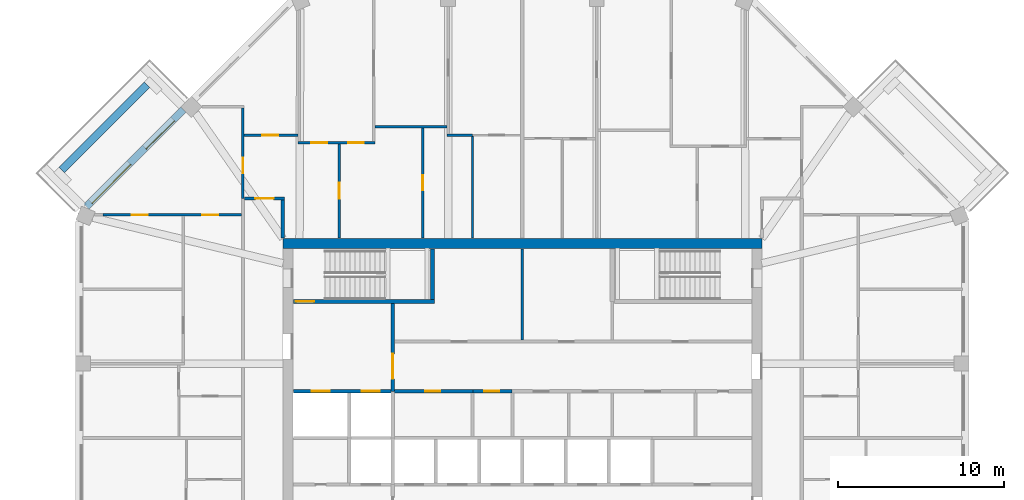
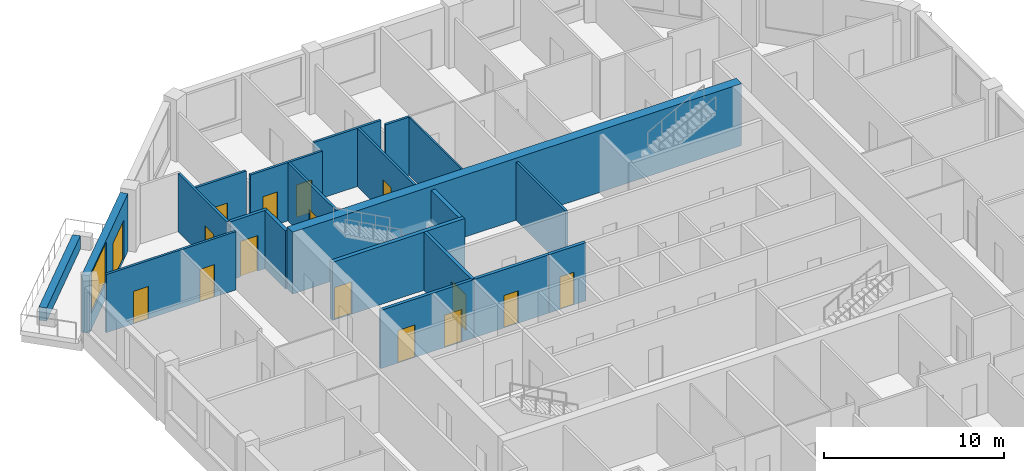
# One storey, part 7 of 11: 21 walls, 16 doors, 1 window, 17 openings.
"""IFC4 building model written with IfcOpenShell, lengths in metres."""

import ifcopenshell
import ifcopenshell.guid

model = None  # the IFC model being written
_history = None  # IfcOwnerHistory: only IFC2X3 demands one
_inside = {}  # id of a spatial element -> (the spatial element, [elements in it])
_under = {}  # id of a project, library or spatial element -> (it, [spatial elements below it])
_declared = {}  # id of a project -> (the project, [libraries it declares])
_typed = {}  # id of a type object -> (the type object, [elements of that type])
_made_of = {}  # id of a material, layer set ... -> (it, [elements and type objects made of it])


def new_model(schema):
    """Start an empty IFC model of exactly this schema.

    Asked for "IFC4X3", IfcOpenShell would pick the latest addendum, in which some entities
    have other attributes; the version numbers below select the first issue.
    IFC2X3 requires an IfcOwnerHistory on every rooted entity: one is made here for all.
    """
    global model, _history
    if schema == "IFC4X3":
        model = ifcopenshell.file(schema_version=(4, 3, 0, 0))
    else:
        model = ifcopenshell.file(schema=schema)
    _inside.clear()
    _under.clear()
    _declared.clear()
    _typed.clear()
    _made_of.clear()
    _history = None
    if model.schema == "IFC2X3":
        org = make("IfcOrganization", Name="unknown")
        user = make(
            "IfcPersonAndOrganization",
            ThePerson=make("IfcPerson", FamilyName="unknown"),
            TheOrganization=org,
        )
        app = make(
            "IfcApplication",
            ApplicationDeveloper=org,
            Version="unknown",
            ApplicationFullName="unknown",
            ApplicationIdentifier="unknown",
        )
        _history = make(
            "IfcOwnerHistory",
            OwningUser=user,
            OwningApplication=app,
            ChangeAction="ADDED",
            CreationDate=0,
        )
    return model


def make(cls, **values):
    """One entity of the class cls with the attributes given. An attribute that is None is left unset."""
    return model.create_entity(
        cls, **{name: value for name, value in values.items() if value is not None}
    )


def rooted(cls, **values):
    """An entity with a GlobalId (a new one), such as an element, a storey or a relation."""
    return make(cls, GlobalId=ifcopenshell.guid.new(), OwnerHistory=_history, **values)


def si_unit(unit_type, name, prefix=None):
    """IfcSIUnit, for example si_unit("LENGTHUNIT", "METRE", prefix="MILLI")."""
    return make("IfcSIUnit", UnitType=unit_type, Prefix=prefix, Name=name)


def assignment(units):
    """IfcUnitAssignment: the units of a project."""
    return None if units is None else make("IfcUnitAssignment", Units=units)


def point(xyz):
    """IfcCartesianPoint."""
    return None if xyz is None else make("IfcCartesianPoint", Coordinates=xyz)


def direction(xyz):
    """IfcDirection."""
    return None if xyz is None else make("IfcDirection", DirectionRatios=xyz)


def frame(location, z_axis=None, x_axis=None):
    """IfcAxis2Placement3D, a coordinate frame: its origin and axes. An axis left out is left unset."""
    return make(
        "IfcAxis2Placement3D",
        Location=point(location),
        Axis=direction(z_axis),
        RefDirection=direction(x_axis),
    )


def frame_2d(location, x_axis=None):
    """IfcAxis2Placement2D, a coordinate frame in the plane: its origin and x axis."""
    return make(
        "IfcAxis2Placement2D", Location=point(location), RefDirection=direction(x_axis)
    )


def origin():
    """The frame at (0, 0, 0) with its axes left unset."""
    return frame((0.0, 0.0, 0.0))


def place(relative_to, where):
    """IfcLocalPlacement: puts the frame where relative to a parent placement (None: the world)."""
    return make(
        "IfcLocalPlacement", PlacementRelTo=relative_to, RelativePlacement=where
    )


def context(
    kind, dimensions, precision=None, world=None, true_north=None, identifier=None
):
    """IfcGeometricRepresentationContext, for example the 3D "Model" context."""
    return make(
        "IfcGeometricRepresentationContext",
        ContextIdentifier=identifier,
        ContextType=kind,
        CoordinateSpaceDimension=dimensions,
        Precision=precision,
        WorldCoordinateSystem=world,
        TrueNorth=true_north,
    )


def subcontext(parent, identifier, kind, view, scale=None):
    """IfcGeometricRepresentationSubContext, for example "Body" below "Model"."""
    return make(
        "IfcGeometricRepresentationSubContext",
        ContextIdentifier=identifier,
        ContextType=kind,
        ParentContext=parent,
        TargetScale=scale,
        TargetView=view,
    )


def project(units=None, contexts=None):
    """IfcProject with its units and contexts."""
    return rooted(
        "IfcProject",
        Name="project",
        RepresentationContexts=contexts,
        UnitsInContext=assignment(units),
    )


def spatial(cls, under=None, at=None, **own):
    """A site, building, storey or space (cls), placed at a placement, below another one or the project."""
    s = rooted(cls, ObjectPlacement=at, **own)
    if under is not None:
        _under.setdefault(under.id(), (under, []))[1].append(s)
    return s


def profile(cls, at=None, kind="AREA", **sizes):
    """A parametric profile (cls). Its sizes go by their IFC names, for example OverallWidth=200.0."""
    return make(cls, ProfileType=kind, Position=at, **sizes)


def rectangle(**sizes):
    """IfcRectangleProfileDef."""
    return profile("IfcRectangleProfileDef", **sizes)


def extrude(swept, where, along, depth):
    """IfcExtrudedAreaSolid: the profile swept, set in the frame where, extruded along a direction by depth."""
    return make(
        "IfcExtrudedAreaSolid",
        SweptArea=swept,
        Position=where,
        ExtrudedDirection=direction(along),
        Depth=depth,
    )


def shape(context_of_items, identifier, shape_type, items):
    """IfcShapeRepresentation: the items that make up one representation, for example the "Body"."""
    return make(
        "IfcShapeRepresentation",
        ContextOfItems=context_of_items,
        RepresentationIdentifier=identifier,
        RepresentationType=shape_type,
        Items=items,
    )


def material(Name=None, Category=None):
    """IfcMaterial."""
    return make("IfcMaterial", Name=Name, Category=Category)


def layer(
    of_material, thickness, ventilated=None, Name=None, Category=None, Priority=None
):
    """IfcMaterialLayer: one layer of a wall or slab, of a material (None: an air gap)."""
    return make(
        "IfcMaterialLayer",
        Material=of_material,
        LayerThickness=thickness,
        IsVentilated=ventilated,
        Name=Name,
        Category=Category,
        Priority=Priority,
    )


def layer_set(layers, Name=None):
    """IfcMaterialLayerSet."""
    return make("IfcMaterialLayerSet", MaterialLayers=layers, LayerSetName=Name)


def made_of(thing, what):
    """Note that an element or type object is made of a material, layer set ...; save() writes the relation."""
    if what is not None:
        _made_of.setdefault(what.id(), (what, []))[1].append(thing)
    return thing


def type_object(cls, material=None, **own):
    """A type object (cls), such as IfcWallType, which elements share."""
    return made_of(rooted(cls, **own), material)


def element(
    cls,
    number,
    at=None,
    inside=None,
    cuts=None,
    type_object=None,
    material=None,
    context=None,
    identifier="Body",
    shape_type=None,
    held_by="IfcProductDefinitionShape",
    body=None,
    shapes=None,
    **own,
):
    """One element of the class cls, such as IfcWall. Its Tag is "e" and its number.

    at: its placement. inside: the storey or other place that contains it. cuts: it is an
    opening in that element (IfcRelVoidsElement). A single representation is given by context,
    identifier, shape_type and body (its items); several are given by shapes. held_by: the class
    of the entity that holds the representations. save() writes the other relations.
    """
    e = rooted(cls, Tag="e%d" % number, ObjectPlacement=at, **own)
    if body is not None:
        shapes = [shape(context, identifier, shape_type, body)]
    if shapes is not None:
        e.Representation = make(held_by, Representations=shapes)
    if inside is not None:
        _inside.setdefault(inside.id(), (inside, []))[1].append(e)
    if cuts is not None:
        rooted(
            "IfcRelVoidsElement", RelatingBuildingElement=cuts, RelatedOpeningElement=e
        )
    if type_object is not None:
        _typed.setdefault(type_object.id(), (type_object, []))[1].append(e)
    return made_of(e, material)


def fill(opening, filler):
    """IfcRelFillsElement: the door or window that sits in an opening."""
    return rooted(
        "IfcRelFillsElement",
        RelatingOpeningElement=opening,
        RelatedBuildingElement=filler,
    )


def aggregate(whole, parts):
    """IfcRelAggregates: a whole, such as a stair, and the parts it consists of."""
    return rooted("IfcRelAggregates", RelatingObject=whole, RelatedObjects=parts)


def save(model, path):
    """Write the relations noted so far, then the file.

    IfcRelAggregates (storeys below a building ...), IfcRelContainedInSpatialStructure (elements
    in a storey), IfcRelDefinesByType, IfcRelAssociatesMaterial and IfcRelDeclares: one each for
    every whole, place, type object, material and project.
    """
    for whole, parts in _under.values():
        aggregate(whole, parts)
    for where, things in _inside.values():
        rooted(
            "IfcRelContainedInSpatialStructure",
            RelatedElements=things,
            RelatingStructure=where,
        )
    for kind, things in _typed.values():
        rooted("IfcRelDefinesByType", RelatedObjects=things, RelatingType=kind)
    for what, things in _made_of.values():
        rooted("IfcRelAssociatesMaterial", RelatedObjects=things, RelatingMaterial=what)
    for by, libraries in _declared.values():
        rooted("IfcRelDeclares", RelatingContext=by, RelatedDefinitions=libraries)
    model.write(path)


model = new_model("IFC4")

# Units and contexts
model_context = context("Model", 3, precision=1e-05, world=origin(), true_north=direction((0.0, 1.0)))
body_context = subcontext(model_context, "Body", "Model", "MODEL_VIEW")
ifc_project = project(units=[si_unit("LENGTHUNIT", "METRE"), si_unit("AREAUNIT", "SQUARE_METRE"), si_unit("VOLUMEUNIT", "CUBIC_METRE"), si_unit("PLANEANGLEUNIT", "RADIAN"), si_unit("MASSUNIT", "GRAM", prefix="KILO")], contexts=[model_context])

# Site, building, storey
site_placement = place(None, origin())
site = spatial("IfcSite", under=ifc_project, at=site_placement, CompositionType="ELEMENT")
building_placement = place(site_placement, origin())
building = spatial("IfcBuilding", under=site, at=building_placement, Name="Msitu Wima Residences", CompositionType="ELEMENT")
storey_placement = place(building_placement, frame((0.0, 0.0, 226.5)))
storey = spatial("IfcBuildingStorey", under=building, at=storey_placement, Name="L52", CompositionType="ELEMENT", Elevation=226.5)

# Wall
ifc_material_1 = material(Name="Facing brick")
ifc_layer_1 = layer(ifc_material_1, 0.06494140625, Name="Facing brick")
ifc_material_2 = material(Name="Concrete C40/50", Category="concrete")
ifc_layer_2 = layer(ifc_material_2, 0.156005859375, Name="Concrete C40/50")
ifc_material_3 = material(Name="Waterproofing membrane")
ifc_layer_3 = layer(ifc_material_3, 0.00390625, Name="Waterproofing membrane")
ifc_material_4 = material(Name="Planting soil and planting")
ifc_layer_4 = layer(ifc_material_4, 0.22509765625, Name="Planting soil and planting")
ifc_layer_set_1 = layer_set([ifc_layer_1, ifc_layer_2, ifc_layer_3, ifc_layer_4], Name="Concrete C40/50")
wall_type_1 = type_object("IfcWallType", Name="Balcony planter PLANTER PL450", PredefinedType="USERDEFINED", material=ifc_layer_set_1)
wall_1_placement = place(storey_placement, frame((-22.572265625, 21.228759765625, 0.0), z_axis=(0.0, 0.0, 1.0), x_axis=(-0.707106781187, -0.707106781187, 0.0)))
element("IfcWall", 1, at=wall_1_placement, inside=storey, type_object=wall_type_1, Name="Balcony planter NW1 L52", ObjectType="PLANTER", PredefinedType="USERDEFINED", context=body_context, shape_type="SweptSolid", body=[
    extrude(rectangle(XDim=7.23828125, YDim=0.449951171875, at=frame_2d((3.619140625, 0.0))), origin(), (0.0, 0.0, 1.0), 0.89990234375),
])

# Wall, openings, door, window
ifc_material_5 = material(Name="Brick (red buff mix)", Category="masonry")
ifc_layer_5 = layer(ifc_material_5, 0.449951171875)
ifc_layer_set_2 = layer_set([ifc_layer_5], Name="Brick (red buff mix)")
wall_type_2 = type_object("IfcWallType", Name="Brick infill wall BW450", PredefinedType="SOLIDWALL", material=ifc_layer_set_2)
wall_2_placement = place(storey_placement, frame((-20.380126953125, 19.743896484375, 0.0), z_axis=(0.0, 0.0, 1.0), x_axis=(-0.707106781187, -0.707106781187, 0.0)))
wall_2 = element("IfcWall", 2, at=wall_2_placement, inside=storey, type_object=wall_type_2, Name="Brick infill wall L52 NW1", PredefinedType="SOLIDWALL", context=body_context, shape_type="SweptSolid", body=[
    extrude(rectangle(XDim=8.251220703125, YDim=0.449951171875, at=frame_2d((4.12548828125, 0.0))), origin(), (0.0, 0.0, 1.0), 3.89990234375),
])
opening_1_placement = place(wall_2_placement, frame((0.86279296875, 0.0, 0.0)))
opening_1 = element("IfcOpeningElement", 3, at=opening_1_placement, cuts=wall_2, Name="Opening D52-54.004", PredefinedType="OPENING", context=body_context, shape_type="SweptSolid", body=[
    extrude(rectangle(XDim=2.39990234375, YDim=2.699951171875, at=frame_2d((1.199951171875, 1.35009765625))), frame((0.0, 0.23486328125, 0.0), z_axis=(0.0, -1.0, 0.0), x_axis=(1.0, 0.0, 0.0)), (0.0, 0.0, 1.0), 0.469970703125),
])
opening_2_placement = place(wall_2_placement, frame((4.57568359375, 0.0, 1.050048828125)))
opening_2 = element("IfcOpeningElement", 4, at=opening_2_placement, cuts=wall_2, Name="Opening W52-54.016", PredefinedType="OPENING", context=body_context, shape_type="SweptSolid", body=[
    extrude(rectangle(XDim=3.300048828125, YDim=2.699951171875, at=frame_2d((1.64990234375, 1.35009765625))), frame((0.0, 0.23486328125, 0.0), z_axis=(0.0, -1.0, 0.0), x_axis=(1.0, 0.0, 0.0)), (0.0, 0.0, 1.0), 0.469970703125),
])
ifc_material_6 = material(Name="Anodised aluminium, bronze finish, clear low-emissivity double glazing", Category="aluminium")
door_type_1 = type_object("IfcDoorType", Name="Balcony door D2400x2700", OperationType="SLIDING_TO_LEFT", PredefinedType="DOOR", material=ifc_material_6)
door_1_placement = place(opening_1_placement, origin())
door_1 = element("IfcDoor", 5, at=door_1_placement, inside=storey, type_object=door_type_1, Name="Balcony door L52 NW1", OperationType="SINGLE_SWING_LEFT", OverallHeight=2.699951171875, OverallWidth=2.39990234375, PredefinedType="DOOR", context=body_context, shape_type="SweptSolid", body=[
    extrude(rectangle(XDim=2.39990234375, YDim=2.699951171875, at=frame_2d((1.199951171875, 1.35009765625))), frame((0.0, 0.1298828125, 0.0), z_axis=(0.0, -1.0, 0.0), x_axis=(1.0, 0.0, 0.0)), (0.0, 0.0, 1.0), 0.050048828125),
])
fill(opening_1, door_1)
window_type = type_object("IfcWindowType", Name="Window W3300x2700", PartitioningType="DOUBLE_PANEL_VERTICAL", PredefinedType="WINDOW", material=ifc_material_6)
window_placement = place(opening_2_placement, origin())
window = element("IfcWindow", 6, at=window_placement, inside=storey, type_object=window_type, Name="Window L52 NW1.2", OverallHeight=2.699951171875, OverallWidth=3.300048828125, PartitioningType="SINGLE_PANEL", PredefinedType="WINDOW", context=body_context, shape_type="SweptSolid", body=[
    extrude(rectangle(XDim=3.300048828125, YDim=2.699951171875, at=frame_2d((1.64990234375, 1.35009765625))), frame((0.0, 0.135009765625, 0.0), z_axis=(0.0, -1.0, 0.0), x_axis=(1.0, 0.0, 0.0)), (0.0, 0.0, 1.0), 0.06005859375),
])
fill(opening_2, window)

# Wall
ifc_material_7 = material(Name="Concrete C50/60", Category="concrete")
ifc_layer_6 = layer(ifc_material_7, 0.60009765625)
ifc_layer_set_3 = layer_set([ifc_layer_6], Name="Concrete C50/60")
wall_type_3 = type_object("IfcWallType", Name="Core wall CW600 C50/60", PredefinedType="SHEAR", material=ifc_layer_set_3)
wall_3_placement = place(storey_placement, frame((-14.39990234375, 11.699951171875, 0.0), z_axis=(0.0, 0.0, 1.0), x_axis=(1.0, 0.0, 0.0)))
element("IfcWall", 7, at=wall_3_placement, inside=storey, type_object=wall_type_3, Name="Core wall", PredefinedType="SHEAR", context=body_context, shape_type="SweptSolid", body=[
    extrude(rectangle(XDim=28.7998046875, YDim=0.60009765625, at=frame_2d((14.39990234375, 0.0))), origin(), (0.0, 0.0, 1.0), 4.199951171875),
])

# Wall, opening, door
ifc_material_8 = material(Name="Plaster")
ifc_layer_7 = layer(ifc_material_8, 0.011962890625, Name="Plaster")
ifc_material_9 = material(Name="Concrete blockwork", Category="masonry")
ifc_layer_8 = layer(ifc_material_9, 0.176025390625, Name="Concrete blockwork")
ifc_layer_9 = layer(ifc_material_8, 0.011962890625, Name="Plaster")
ifc_layer_set_4 = layer_set([ifc_layer_7, ifc_layer_8, ifc_layer_9], Name="Concrete blockwork")
wall_type_4 = type_object("IfcWallType", Name="Corridor wall FW200", PredefinedType="PARTITIONING", material=ifc_layer_set_4)
wall_4_placement = place(storey_placement, frame((-16.699951171875, 14.39990234375, 0.0), z_axis=(0.0, 0.0, 1.0), x_axis=(1.0, 0.0, 0.0)))
wall_4 = element("IfcWall", 8, at=wall_4_placement, inside=storey, type_object=wall_type_4, Name="Corridor wall", PredefinedType="PARTITIONING", context=body_context, shape_type="SweptSolid", body=[
    extrude(rectangle(XDim=2.39990234375, YDim=0.199951171875, at=frame_2d((1.199951171875, 0.0))), origin(), (0.0, 0.0, 1.0), 3.949951171875),
])
opening_3_placement = place(wall_4_placement, frame((0.64990234375, 0.0, 0.0)))
opening_3 = element("IfcOpeningElement", 9, at=opening_3_placement, cuts=wall_4, Name="Opening D52-54.022", PredefinedType="OPENING", context=body_context, shape_type="SweptSolid", body=[
    extrude(rectangle(XDim=1.10009765625, YDim=2.39990234375, at=frame_2d((0.550048828125, 1.199951171875))), frame((0.0, 0.10986328125, 0.0), z_axis=(0.0, -1.0, 0.0), x_axis=(1.0, 0.0, 0.0)), (0.0, 0.0, 1.0), 0.219970703125),
])
ifc_material_10 = material(Name="Timber flush door, fire resisting, self-closing", Category="wood")
door_type_2 = type_object("IfcDoorType", Name="Flat entrance door D01 1100x2400", OperationType="SINGLE_SWING_LEFT", PredefinedType="DOOR", material=ifc_material_10)
door_2_placement = place(opening_3_placement, origin())
door_2 = element("IfcDoor", 10, at=door_2_placement, inside=storey, type_object=door_type_2, Name="Flat entrance door", OperationType="SINGLE_SWING_LEFT", OverallHeight=2.39990234375, OverallWidth=1.10009765625, PredefinedType="DOOR", context=body_context, shape_type="SweptSolid", body=[
    extrude(rectangle(XDim=1.10009765625, YDim=2.39990234375, at=frame_2d((0.550048828125, 1.199951171875))), frame((0.0, 0.02490234375, 0.0), z_axis=(0.0, -1.0, 0.0), x_axis=(1.0, 0.0, 0.0)), (0.0, 0.0, 1.0), 0.050048828125),
])
fill(opening_3, door_2)

# Wall
wall_5_placement = place(storey_placement, frame((-14.39990234375, 12.030029296875, 0.0), z_axis=(0.0, 0.0, 1.0), x_axis=(0.0, 1.0, 0.0)))
element("IfcWall", 11, at=wall_5_placement, inside=storey, type_object=wall_type_4, Name="Corridor wall", PredefinedType="PARTITIONING", context=body_context, shape_type="SweptSolid", body=[
    extrude(rectangle(XDim=2.27001953125, YDim=0.199951171875, at=frame_2d((1.135009765625, 0.0))), origin(), (0.0, 0.0, 1.0), 3.949951171875),
])

# Wall, opening, door
wall_6_placement = place(storey_placement, frame((-7.800048828125, 2.800048828125, 0.0), z_axis=(0.0, 0.0, 1.0), x_axis=(1.0, 0.0, 0.0)))
wall_6 = element("IfcWall", 12, at=wall_6_placement, inside=storey, type_object=wall_type_4, Name="Corridor wall", PredefinedType="PARTITIONING", context=body_context, shape_type="SweptSolid", body=[
    extrude(rectangle(XDim=4.820068359375, YDim=0.199951171875, at=frame_2d((2.41015625, 0.0))), origin(), (0.0, 0.0, 1.0), 3.949951171875),
])
opening_4_placement = place(wall_6_placement, frame((1.949951171875, 0.0, 0.0)))
opening_4 = element("IfcOpeningElement", 13, at=opening_4_placement, cuts=wall_6, Name="Opening D52-54.078", PredefinedType="OPENING", context=body_context, shape_type="SweptSolid", body=[
    extrude(rectangle(XDim=0.89990234375, YDim=2.199951171875, at=frame_2d((0.449951171875, 1.10009765625))), frame((0.0, 0.10986328125, 0.0), z_axis=(0.0, -1.0, 0.0), x_axis=(1.0, 0.0, 0.0)), (0.0, 0.0, 1.0), 0.219970703125),
])
ifc_material_11 = material(Name="Timber flush door", Category="wood")
door_type_3 = type_object("IfcDoorType", Name="Service door D05 900x2200", OperationType="SINGLE_SWING_LEFT", PredefinedType="DOOR", material=ifc_material_11)
door_3_placement = place(opening_4_placement, origin())
door_3 = element("IfcDoor", 14, at=door_3_placement, inside=storey, type_object=door_type_3, Name="Service door", OperationType="SINGLE_SWING_RIGHT", OverallHeight=2.199951171875, OverallWidth=0.89990234375, PredefinedType="DOOR", context=body_context, shape_type="SweptSolid", body=[
    extrude(rectangle(XDim=0.89990234375, YDim=2.199951171875, at=frame_2d((0.449951171875, 1.10009765625))), frame((0.0, 0.02490234375, 0.0), z_axis=(0.0, -1.0, 0.0), x_axis=(1.0, 0.0, 0.0)), (0.0, 0.0, 1.0), 0.050048828125),
])
fill(opening_4, door_3)

wall_7_placement = place(storey_placement, frame((-7.800048828125, 2.800048828125, 0.0), z_axis=(0.0, 0.0, 1.0), x_axis=(0.0, 1.0, 0.0)))
wall_7 = element("IfcWall", 15, at=wall_7_placement, inside=storey, type_object=wall_type_4, Name="Corridor wall", PredefinedType="PARTITIONING", context=body_context, shape_type="SweptSolid", body=[
    extrude(rectangle(XDim=5.27490234375, YDim=0.199951171875, at=frame_2d((2.637451171875, 0.0))), origin(), (0.0, 0.0, 1.0), 3.949951171875),
])
opening_5_placement = place(wall_7_placement, frame((0.75, 0.0, 0.0)))
opening_5 = element("IfcOpeningElement", 16, at=opening_5_placement, cuts=wall_7, Name="Opening D52-54.068", PredefinedType="OPENING", context=body_context, shape_type="SweptSolid", body=[
    extrude(rectangle(XDim=1.5, YDim=2.39990234375, at=frame_2d((0.75, 1.199951171875))), frame((0.0, 0.10986328125, 0.0), z_axis=(0.0, -1.0, 0.0), x_axis=(1.0, 0.0, 0.0)), (0.0, 0.0, 1.0), 0.219970703125),
])
ifc_material_12 = material(Name="Steel framed glazed door, fire resisting", Category="steel")
door_type_4 = type_object("IfcDoorType", Name="Lobby door D07 1500x2400", OperationType="DOUBLE_DOOR_SINGLE_SWING", PredefinedType="DOOR", material=ifc_material_12)
door_4_placement = place(opening_5_placement, origin())
door_4 = element("IfcDoor", 17, at=door_4_placement, inside=storey, type_object=door_type_4, Name="Lobby door", OperationType="DOUBLE_DOOR_SINGLE_SWING", OverallHeight=2.39990234375, OverallWidth=1.5, PredefinedType="DOOR", context=body_context, shape_type="SweptSolid", body=[
    extrude(rectangle(XDim=1.5, YDim=2.39990234375, at=frame_2d((0.75, 1.199951171875))), frame((0.0, 0.02490234375, 0.0), z_axis=(0.0, -1.0, 0.0), x_axis=(1.0, 0.0, 0.0)), (0.0, 0.0, 1.0), 0.050048828125),
])
fill(opening_5, door_4)

# Wall, openings, doors
ifc_layer_10 = layer(ifc_material_8, 0.011962890625, Name="Plaster")
ifc_layer_11 = layer(ifc_material_9, 0.1259765625, Name="Concrete blockwork")
ifc_layer_12 = layer(ifc_material_8, 0.011962890625, Name="Plaster")
ifc_layer_set_5 = layer_set([ifc_layer_10, ifc_layer_11, ifc_layer_12], Name="Concrete blockwork")
wall_type_5 = type_object("IfcWallType", Name="Partition PW150", PredefinedType="PARTITIONING", material=ifc_layer_set_5)
wall_8_placement = place(storey_placement, frame((-25.22412109375, 13.406005859375, 0.0), z_axis=(0.0, 0.0, 1.0), x_axis=(1.0, 0.0, 0.0)))
wall_8 = element("IfcWall", 18, at=wall_8_placement, inside=storey, type_object=wall_type_5, Name="Partition", PredefinedType="PARTITIONING", context=body_context, shape_type="SweptSolid", body=[
    extrude(rectangle(XDim=8.32421875, YDim=0.14990234375, at=frame_2d((4.162109375, 0.0))), origin(), (0.0, 0.0, 1.0), 3.949951171875),
])
opening_6_placement = place(wall_8_placement, frame((5.992919921875, 0.0, 0.0)))
opening_6 = element("IfcOpeningElement", 19, at=opening_6_placement, cuts=wall_8, Name="Opening D52-54.034", PredefinedType="OPENING", context=body_context, shape_type="SweptSolid", body=[
    extrude(rectangle(XDim=0.949951171875, YDim=2.199951171875, at=frame_2d((0.47509765625, 1.10009765625))), frame((0.0, 0.0849609375, 0.0), z_axis=(0.0, -1.0, 0.0), x_axis=(1.0, 0.0, 0.0)), (0.0, 0.0, 1.0), 0.169921875),
])
opening_7_placement = place(wall_8_placement, frame((1.742919921875, 0.0, 0.0)))
opening_7 = element("IfcOpeningElement", 20, at=opening_7_placement, cuts=wall_8, Name="Opening D52-54.024", PredefinedType="OPENING", context=body_context, shape_type="SweptSolid", body=[
    extrude(rectangle(XDim=0.949951171875, YDim=2.199951171875, at=frame_2d((0.47509765625, 1.10009765625))), frame((0.0, 0.0849609375, 0.0), z_axis=(0.0, -1.0, 0.0), x_axis=(1.0, 0.0, 0.0)), (0.0, 0.0, 1.0), 0.169921875),
])
door_type_5 = type_object("IfcDoorType", Name="Room door D12 950x2200", OperationType="SINGLE_SWING_LEFT", PredefinedType="DOOR", material=ifc_material_11)
door_5_placement = place(opening_6_placement, origin())
door_5 = element("IfcDoor", 21, at=door_5_placement, inside=storey, type_object=door_type_5, Name="Room door", OperationType="SINGLE_SWING_RIGHT", OverallHeight=2.199951171875, OverallWidth=0.949951171875, PredefinedType="DOOR", context=body_context, shape_type="SweptSolid", body=[
    extrude(rectangle(XDim=0.949951171875, YDim=2.199951171875, at=frame_2d((0.47509765625, 1.10009765625))), frame((0.0, 0.02490234375, 0.0), z_axis=(0.0, -1.0, 0.0), x_axis=(1.0, 0.0, 0.0)), (0.0, 0.0, 1.0), 0.050048828125),
])
fill(opening_6, door_5)
door_6_placement = place(opening_7_placement, origin())
door_6 = element("IfcDoor", 22, at=door_6_placement, inside=storey, type_object=door_type_5, Name="Room door", OperationType="SINGLE_SWING_LEFT", OverallHeight=2.199951171875, OverallWidth=0.949951171875, PredefinedType="DOOR", context=body_context, shape_type="SweptSolid", body=[
    extrude(rectangle(XDim=0.949951171875, YDim=2.199951171875, at=frame_2d((0.47509765625, 1.10009765625))), frame((0.0, 0.02490234375, 0.0), z_axis=(0.0, -1.0, 0.0), x_axis=(1.0, 0.0, 0.0)), (0.0, 0.0, 1.0), 0.050048828125),
])
fill(opening_7, door_6)

# Wall, opening, door
wall_9_placement = place(storey_placement, frame((-16.800048828125, 14.39990234375, 0.0), z_axis=(0.0, 0.0, 1.0), x_axis=(0.0, 1.0, 0.0)))
wall_9 = element("IfcWall", 23, at=wall_9_placement, inside=storey, type_object=wall_type_5, Name="Partition", PredefinedType="PARTITIONING", context=body_context, shape_type="SweptSolid", body=[
    extrude(rectangle(XDim=5.427978515625, YDim=0.14990234375, at=frame_2d((2.7138671875, 0.0))), origin(), (0.0, 0.0, 1.0), 3.949951171875),
])
opening_8_placement = place(wall_9_placement, frame((1.5, 0.0, 0.0)))
opening_8 = element("IfcOpeningElement", 24, at=opening_8_placement, cuts=wall_9, Name="Opening D52-54.031", PredefinedType="OPENING", context=body_context, shape_type="SweptSolid", body=[
    extrude(rectangle(XDim=0.949951171875, YDim=2.199951171875, at=frame_2d((0.47509765625, 1.10009765625))), frame((0.0, 0.0849609375, 0.0), z_axis=(0.0, -1.0, 0.0), x_axis=(1.0, 0.0, 0.0)), (0.0, 0.0, 1.0), 0.169921875),
])
door_7_placement = place(opening_8_placement, origin())
door_7 = element("IfcDoor", 25, at=door_7_placement, inside=storey, type_object=door_type_5, Name="Room door", OperationType="SINGLE_SWING_LEFT", OverallHeight=2.199951171875, OverallWidth=0.949951171875, PredefinedType="DOOR", context=body_context, shape_type="SweptSolid", body=[
    extrude(rectangle(XDim=0.949951171875, YDim=2.199951171875, at=frame_2d((0.47509765625, 1.10009765625))), frame((0.0, 0.02490234375, 0.0), z_axis=(0.0, -1.0, 0.0), x_axis=(1.0, 0.0, 0.0)), (0.0, 0.0, 1.0), 0.050048828125),
])
fill(opening_8, door_7)

wall_10_placement = place(storey_placement, frame((-16.72509765625, 18.199951171875, 0.0), z_axis=(0.0, 0.0, 1.0), x_axis=(1.0, 0.0, 0.0)))
wall_10 = element("IfcWall", 26, at=wall_10_placement, inside=storey, type_object=wall_type_5, Name="Partition", PredefinedType="PARTITIONING", context=body_context, shape_type="SweptSolid", body=[
    extrude(rectangle(XDim=3.244140625, YDim=0.14990234375, at=frame_2d((1.6220703125, 0.0))), origin(), (0.0, 0.0, 1.0), 3.949951171875),
])
opening_9_placement = place(wall_10_placement, frame((1.10009765625, 0.0, 0.0)))
opening_9 = element("IfcOpeningElement", 27, at=opening_9_placement, cuts=wall_10, Name="Opening D52-54.030", PredefinedType="OPENING", context=body_context, shape_type="SweptSolid", body=[
    extrude(rectangle(XDim=0.949951171875, YDim=2.199951171875, at=frame_2d((0.47509765625, 1.10009765625))), frame((0.0, 0.0849609375, 0.0), z_axis=(0.0, -1.0, 0.0), x_axis=(1.0, 0.0, 0.0)), (0.0, 0.0, 1.0), 0.169921875),
])
door_8_placement = place(opening_9_placement, origin())
door_8 = element("IfcDoor", 28, at=door_8_placement, inside=storey, type_object=door_type_5, Name="Room door", OperationType="SINGLE_SWING_LEFT", OverallHeight=2.199951171875, OverallWidth=0.949951171875, PredefinedType="DOOR", context=body_context, shape_type="SweptSolid", body=[
    extrude(rectangle(XDim=0.949951171875, YDim=2.199951171875, at=frame_2d((0.47509765625, 1.10009765625))), frame((0.0, 0.02490234375, 0.0), z_axis=(0.0, -1.0, 0.0), x_axis=(1.0, 0.0, 0.0)), (0.0, 0.0, 1.0), 0.050048828125),
])
fill(opening_9, door_8)

# Wall, openings, doors
wall_11_placement = place(storey_placement, frame((-13.48095703125, 17.75, 0.0), z_axis=(0.0, 0.0, 1.0), x_axis=(1.0, 0.0, 0.0)))
wall_11 = element("IfcWall", 29, at=wall_11_placement, inside=storey, type_object=wall_type_5, Name="Partition", PredefinedType="PARTITIONING", context=body_context, shape_type="SweptSolid", body=[
    extrude(rectangle(XDim=4.61865234375, YDim=0.14990234375, at=frame_2d((2.309326171875, 0.0))), origin(), (0.0, 0.0, 1.0), 3.949951171875),
])
opening_10_placement = place(wall_11_placement, frame((0.800048828125, 0.0, 0.0)))
opening_10 = element("IfcOpeningElement", 30, at=opening_10_placement, cuts=wall_11, Name="Opening D52-54.029", PredefinedType="OPENING", context=body_context, shape_type="SweptSolid", body=[
    extrude(rectangle(XDim=0.949951171875, YDim=2.199951171875, at=frame_2d((0.47509765625, 1.10009765625))), frame((0.0, 0.0849609375, 0.0), z_axis=(0.0, -1.0, 0.0), x_axis=(1.0, 0.0, 0.0)), (0.0, 0.0, 1.0), 0.169921875),
])
opening_11_placement = place(wall_11_placement, frame((3.0, 0.0, 0.0)))
opening_11 = element("IfcOpeningElement", 31, at=opening_11_placement, cuts=wall_11, Name="Opening D52-54.028", PredefinedType="OPENING", context=body_context, shape_type="SweptSolid", body=[
    extrude(rectangle(XDim=0.949951171875, YDim=2.199951171875, at=frame_2d((0.47509765625, 1.10009765625))), frame((0.0, 0.0849609375, 0.0), z_axis=(0.0, -1.0, 0.0), x_axis=(1.0, 0.0, 0.0)), (0.0, 0.0, 1.0), 0.169921875),
])
door_9_placement = place(opening_10_placement, origin())
door_9 = element("IfcDoor", 32, at=door_9_placement, inside=storey, type_object=door_type_5, Name="Room door", OperationType="SINGLE_SWING_LEFT", OverallHeight=2.199951171875, OverallWidth=0.949951171875, PredefinedType="DOOR", context=body_context, shape_type="SweptSolid", body=[
    extrude(rectangle(XDim=0.949951171875, YDim=2.199951171875, at=frame_2d((0.47509765625, 1.10009765625))), frame((0.0, 0.02490234375, 0.0), z_axis=(0.0, -1.0, 0.0), x_axis=(1.0, 0.0, 0.0)), (0.0, 0.0, 1.0), 0.050048828125),
])
fill(opening_10, door_9)
door_10_placement = place(opening_11_placement, origin())
door_10 = element("IfcDoor", 33, at=door_10_placement, inside=storey, type_object=door_type_5, Name="Room door", OperationType="SINGLE_SWING_RIGHT", OverallHeight=2.199951171875, OverallWidth=0.949951171875, PredefinedType="DOOR", context=body_context, shape_type="SweptSolid", body=[
    extrude(rectangle(XDim=0.949951171875, YDim=2.199951171875, at=frame_2d((0.47509765625, 1.10009765625))), frame((0.0, 0.02490234375, 0.0), z_axis=(0.0, -1.0, 0.0), x_axis=(1.0, 0.0, 0.0)), (0.0, 0.0, 1.0), 0.050048828125),
])
fill(opening_11, door_10)

# Wall, opening, door
wall_12_placement = place(storey_placement, frame((-11.0, 12.030029296875, 0.0), z_axis=(0.0, 0.0, 1.0), x_axis=(0.0, 1.0, 0.0)))
wall_12 = element("IfcWall", 34, at=wall_12_placement, inside=storey, type_object=wall_type_5, Name="Partition", PredefinedType="PARTITIONING", context=body_context, shape_type="SweptSolid", body=[
    extrude(rectangle(XDim=5.64501953125, YDim=0.14990234375, at=frame_2d((2.822509765625, 0.0))), origin(), (0.0, 0.0, 1.0), 3.949951171875),
])
opening_12_placement = place(wall_12_placement, frame((2.35009765625, 0.0, 0.0)))
opening_12 = element("IfcOpeningElement", 35, at=opening_12_placement, cuts=wall_12, Name="Opening D52-54.023", PredefinedType="OPENING", context=body_context, shape_type="SweptSolid", body=[
    extrude(rectangle(XDim=0.949951171875, YDim=2.199951171875, at=frame_2d((0.47509765625, 1.10009765625))), frame((0.0, 0.0849609375, 0.0), z_axis=(0.0, -1.0, 0.0), x_axis=(1.0, 0.0, 0.0)), (0.0, 0.0, 1.0), 0.169921875),
])
door_11_placement = place(opening_12_placement, origin())
door_11 = element("IfcDoor", 36, at=door_11_placement, inside=storey, type_object=door_type_5, Name="Room door", OperationType="SINGLE_SWING_LEFT", OverallHeight=2.199951171875, OverallWidth=0.949951171875, PredefinedType="DOOR", context=body_context, shape_type="SweptSolid", body=[
    extrude(rectangle(XDim=0.949951171875, YDim=2.199951171875, at=frame_2d((0.47509765625, 1.10009765625))), frame((0.0, 0.02490234375, 0.0), z_axis=(0.0, -1.0, 0.0), x_axis=(1.0, 0.0, 0.0)), (0.0, 0.0, 1.0), 0.050048828125),
])
fill(opening_12, door_11)

# Wall
wall_13_placement = place(storey_placement, frame((-8.8623046875, 18.699951171875, 0.0), z_axis=(0.0, 0.0, 1.0), x_axis=(1.0, 0.0, 0.0)))
element("IfcWall", 37, at=wall_13_placement, inside=storey, type_object=wall_type_5, Name="Partition", PredefinedType="PARTITIONING", context=body_context, shape_type="SweptSolid", body=[
    extrude(rectangle(XDim=4.318603515625, YDim=0.14990234375, at=frame_2d((2.1591796875, 0.0))), origin(), (0.0, 0.0, 1.0), 3.949951171875),
])

# Wall, opening, door
wall_14_placement = place(storey_placement, frame((-6.0, 12.030029296875, 0.0), z_axis=(0.0, 0.0, 1.0), x_axis=(0.0, 1.0, 0.0)))
wall_14 = element("IfcWall", 38, at=wall_14_placement, inside=storey, type_object=wall_type_5, Name="Partition", PredefinedType="PARTITIONING", context=body_context, shape_type="SweptSolid", body=[
    extrude(rectangle(XDim=6.594970703125, YDim=0.14990234375, at=frame_2d((3.29736328125, 0.0))), origin(), (0.0, 0.0, 1.0), 3.949951171875),
])
opening_13_placement = place(wall_14_placement, frame((2.85009765625, 0.0, 0.0)))
opening_13 = element("IfcOpeningElement", 39, at=opening_13_placement, cuts=wall_14, Name="Opening D52-54.032", PredefinedType="OPENING", context=body_context, shape_type="SweptSolid", body=[
    extrude(rectangle(XDim=0.89990234375, YDim=2.199951171875, at=frame_2d((0.449951171875, 1.10009765625))), frame((0.0, 0.0849609375, 0.0), z_axis=(0.0, -1.0, 0.0), x_axis=(1.0, 0.0, 0.0)), (0.0, 0.0, 1.0), 0.169921875),
])
door_12_placement = place(opening_13_placement, origin())
door_12 = element("IfcDoor", 40, at=door_12_placement, inside=storey, type_object=door_type_3, Name="Service door", OperationType="SINGLE_SWING_LEFT", OverallHeight=2.199951171875, OverallWidth=0.89990234375, PredefinedType="DOOR", context=body_context, shape_type="SweptSolid", body=[
    extrude(rectangle(XDim=0.89990234375, YDim=2.199951171875, at=frame_2d((0.449951171875, 1.10009765625))), frame((0.0, 0.02490234375, 0.0), z_axis=(0.0, -1.0, 0.0), x_axis=(1.0, 0.0, 0.0)), (0.0, 0.0, 1.0), 0.050048828125),
])
fill(opening_13, door_12)

# Walls
wall_15_placement = place(storey_placement, frame((-4.543701171875, 18.199951171875, 0.0), z_axis=(0.0, 0.0, 1.0), x_axis=(1.0, 0.0, 0.0)))
element("IfcWall", 41, at=wall_15_placement, inside=storey, type_object=wall_type_5, Name="Partition", PredefinedType="PARTITIONING", context=body_context, shape_type="SweptSolid", body=[
    extrude(rectangle(XDim=1.543701171875, YDim=0.14990234375, at=frame_2d((0.77197265625, 0.0))), origin(), (0.0, 0.0, 1.0), 3.949951171875),
])
wall_16_placement = place(storey_placement, frame((0.0, 5.89990234375, 0.0), z_axis=(0.0, 0.0, 1.0), x_axis=(0.0, 1.0, 0.0)))
element("IfcWall", 42, at=wall_16_placement, inside=storey, type_object=wall_type_5, Name="Partition", PredefinedType="PARTITIONING", context=body_context, shape_type="SweptSolid", body=[
    extrude(rectangle(XDim=5.47021484375, YDim=0.14990234375, at=frame_2d((2.735107421875, 0.0))), origin(), (0.0, 0.0, 1.0), 3.949951171875),
])

# Wall, opening, door
ifc_layer_13 = layer(ifc_material_8, 0.011962890625, Name="Plaster")
ifc_material_13 = material(Name="Reinforced concrete blockwork", Category="masonry")
ifc_layer_14 = layer(ifc_material_13, 0.176025390625, Name="Reinforced concrete blockwork")
ifc_layer_15 = layer(ifc_material_8, 0.011962890625, Name="Plaster")
ifc_layer_set_6 = layer_set([ifc_layer_13, ifc_layer_14, ifc_layer_15], Name="Reinforced concrete blockwork")
wall_type_6 = type_object("IfcWallType", Name="Plant and riser wall PL200", PredefinedType="PARTITIONING", material=ifc_layer_set_6)
wall_17_placement = place(storey_placement, frame((-2.97998046875, 2.800048828125, 0.0), z_axis=(0.0, 0.0, 1.0), x_axis=(1.0, 0.0, 0.0)))
wall_17 = element("IfcWall", 43, at=wall_17_placement, inside=storey, type_object=wall_type_6, Name="Plant and riser wall", PredefinedType="PARTITIONING", context=body_context, shape_type="SweptSolid", body=[
    extrude(rectangle(XDim=2.35986328125, YDim=0.199951171875, at=frame_2d((1.179931640625, 0.0))), origin(), (0.0, 0.0, 1.0), 3.949951171875),
])
opening_14_placement = place(wall_17_placement, frame((0.699951171875, 0.0, 0.0)))
opening_14 = element("IfcOpeningElement", 44, at=opening_14_placement, cuts=wall_17, Name="Opening D52-54.079", PredefinedType="OPENING", context=body_context, shape_type="SweptSolid", body=[
    extrude(rectangle(XDim=0.89990234375, YDim=2.199951171875, at=frame_2d((0.449951171875, 1.10009765625))), frame((0.0, 0.10986328125, 0.0), z_axis=(0.0, -1.0, 0.0), x_axis=(1.0, 0.0, 0.0)), (0.0, 0.0, 1.0), 0.219970703125),
])
door_13_placement = place(opening_14_placement, origin())
door_13 = element("IfcDoor", 45, at=door_13_placement, inside=storey, type_object=door_type_3, Name="Service door", OperationType="SINGLE_SWING_RIGHT", OverallHeight=2.199951171875, OverallWidth=0.89990234375, PredefinedType="DOOR", context=body_context, shape_type="SweptSolid", body=[
    extrude(rectangle(XDim=0.89990234375, YDim=2.199951171875, at=frame_2d((0.449951171875, 1.10009765625))), frame((0.0, 0.02490234375, 0.0), z_axis=(0.0, -1.0, 0.0), x_axis=(1.0, 0.0, 0.0)), (0.0, 0.0, 1.0), 0.050048828125),
])
fill(opening_14, door_13)

# Wall, openings, doors
ifc_material_14 = material(Name="Fire-rated board")
ifc_layer_16 = layer(ifc_material_14, 0.02490234375, Name="Fire-rated board")
ifc_material_15 = material(Name="Light-gauge stud framing with mineral wool")
ifc_layer_17 = layer(ifc_material_15, 0.14990234375, Name="Light-gauge stud framing with mineral wool")
ifc_layer_18 = layer(ifc_material_14, 0.02490234375, Name="Fire-rated board")
ifc_layer_set_7 = layer_set([ifc_layer_16, ifc_layer_17, ifc_layer_18], Name="Light-gauge stud framing with mineral wool")
wall_type_7 = type_object("IfcWallType", Name="Shaft wall SH200", PredefinedType="PARTITIONING", material=ifc_layer_set_7)
wall_18_placement = place(storey_placement, frame((-13.77001953125, 2.800048828125, 0.0), z_axis=(0.0, 0.0, 1.0), x_axis=(1.0, 0.0, 0.0)))
wall_18 = element("IfcWall", 46, at=wall_18_placement, inside=storey, type_object=wall_type_7, Name="Shaft wall", PredefinedType="PARTITIONING", context=body_context, shape_type="SweptSolid", body=[
    extrude(rectangle(XDim=5.969970703125, YDim=0.199951171875, at=frame_2d((2.98486328125, 0.0))), origin(), (0.0, 0.0, 1.0), 3.949951171875),
])
opening_15_placement = place(wall_18_placement, frame((1.10009765625, 0.0, 0.0)))
opening_15 = element("IfcOpeningElement", 47, at=opening_15_placement, cuts=wall_18, Name="Opening LD", PredefinedType="OPENING", context=body_context, shape_type="SweptSolid", body=[
    extrude(rectangle(XDim=1.10009765625, YDim=2.199951171875, at=frame_2d((0.550048828125, 1.10009765625))), frame((0.0, 0.10986328125, 0.0), z_axis=(0.0, -1.0, 0.0), x_axis=(1.0, 0.0, 0.0)), (0.0, 0.0, 1.0), 0.219970703125),
])
opening_16_placement = place(wall_18_placement, frame((4.10009765625, 0.0, 0.0)))
opening_16 = element("IfcOpeningElement", 48, at=opening_16_placement, cuts=wall_18, Name="Opening LD", PredefinedType="OPENING", context=body_context, shape_type="SweptSolid", body=[
    extrude(rectangle(XDim=1.10009765625, YDim=2.199951171875, at=frame_2d((0.550048828125, 1.10009765625))), frame((0.0, 0.10986328125, 0.0), z_axis=(0.0, -1.0, 0.0), x_axis=(1.0, 0.0, 0.0)), (0.0, 0.0, 1.0), 0.219970703125),
])
ifc_material_16 = material(Name="Stainless steel centre-opening landing door, rated", Category="steel")
door_type_6 = type_object("IfcDoorType", Name="Lift landing door LD 1100x2200", OperationType="DOUBLE_DOOR_SLIDING", PredefinedType="DOOR", material=ifc_material_16)
door_14_placement = place(opening_15_placement, origin())
door_14 = element("IfcDoor", 49, at=door_14_placement, inside=storey, type_object=door_type_6, Name="Lift landing door LD1", OperationType="DOUBLE_DOOR_SLIDING", OverallHeight=2.199951171875, OverallWidth=1.10009765625, PredefinedType="DOOR", context=body_context, shape_type="SweptSolid", body=[
    extrude(rectangle(XDim=1.10009765625, YDim=2.199951171875, at=frame_2d((0.550048828125, 1.10009765625))), frame((0.0, 0.02490234375, 0.0), z_axis=(0.0, -1.0, 0.0), x_axis=(1.0, 0.0, 0.0)), (0.0, 0.0, 1.0), 0.050048828125),
])
fill(opening_15, door_14)
door_15_placement = place(opening_16_placement, origin())
door_15 = element("IfcDoor", 50, at=door_15_placement, inside=storey, type_object=door_type_6, Name="Lift landing door LD2", OperationType="DOUBLE_DOOR_SLIDING", OverallHeight=2.199951171875, OverallWidth=1.10009765625, PredefinedType="DOOR", context=body_context, shape_type="SweptSolid", body=[
    extrude(rectangle(XDim=1.10009765625, YDim=2.199951171875, at=frame_2d((0.550048828125, 1.10009765625))), frame((0.0, 0.02490234375, 0.0), z_axis=(0.0, -1.0, 0.0), x_axis=(1.0, 0.0, 0.0)), (0.0, 0.0, 1.0), 0.050048828125),
])
fill(opening_16, door_15)

# Wall, opening, door
ifc_layer_19 = layer(ifc_material_7, 0.25)
ifc_layer_set_8 = layer_set([ifc_layer_19], Name="Concrete C50/60")
wall_type_8 = type_object("IfcWallType", Name="Stair enclosure wall SW250", PredefinedType="SHEAR", material=ifc_layer_set_8)
wall_19_placement = place(storey_placement, frame((-13.77001953125, 8.199951171875, 0.0), z_axis=(0.0, 0.0, 1.0), x_axis=(1.0, 0.0, 0.0)))
wall_19 = element("IfcWall", 51, at=wall_19_placement, inside=storey, type_object=wall_type_8, Name="Stair enclosure wall", PredefinedType="SHEAR", context=body_context, shape_type="SweptSolid", body=[
    extrude(rectangle(XDim=8.4951171875, YDim=0.25, at=frame_2d((4.24755859375, 0.0))), origin(), (0.0, 0.0, 1.0), 3.949951171875),
])
opening_17_placement = place(wall_19_placement, frame((0.14990234375, 0.0, 0.0)))
opening_17 = element("IfcOpeningElement", 52, at=opening_17_placement, cuts=wall_19, Name="Opening D52-54.086", PredefinedType="OPENING", context=body_context, shape_type="SweptSolid", body=[
    extrude(rectangle(XDim=1.10009765625, YDim=2.199951171875, at=frame_2d((0.550048828125, 1.10009765625))), frame((0.0, 0.135009765625, 0.0), z_axis=(0.0, -1.0, 0.0), x_axis=(1.0, 0.0, 0.0)), (0.0, 0.0, 1.0), 0.27001953125),
])
ifc_material_17 = material(Name="Steel door, fire resisting, panic bar", Category="steel")
door_type_7 = type_object("IfcDoorType", Name="Stair door D06 1100x2200", OperationType="SINGLE_SWING_LEFT", PredefinedType="DOOR", material=ifc_material_17)
door_16_placement = place(opening_17_placement, origin())
door_16 = element("IfcDoor", 53, at=door_16_placement, inside=storey, type_object=door_type_7, Name="Stair door", OperationType="SINGLE_SWING_LEFT", OverallHeight=2.199951171875, OverallWidth=1.10009765625, PredefinedType="DOOR", context=body_context, shape_type="SweptSolid", body=[
    extrude(rectangle(XDim=1.10009765625, YDim=2.199951171875, at=frame_2d((0.550048828125, 1.10009765625))), frame((0.0, 0.02490234375, 0.0), z_axis=(0.0, -1.0, 0.0), x_axis=(1.0, 0.0, 0.0)), (0.0, 0.0, 1.0), 0.050048828125),
])
fill(opening_17, door_16)

# Walls
wall_20_placement = place(storey_placement, frame((-5.39990234375, 8.324951171875, 0.0), z_axis=(0.0, 0.0, 1.0), x_axis=(0.0, 1.0, 0.0)))
element("IfcWall", 54, at=wall_20_placement, inside=storey, type_object=wall_type_8, Name="Stair enclosure wall", PredefinedType="SHEAR", context=body_context, shape_type="SweptSolid", body=[
    extrude(rectangle(XDim=3.045166015625, YDim=0.25, at=frame_2d((1.5224609375, 0.0))), origin(), (0.0, 0.0, 1.0), 3.949951171875),
])
ifc_material_18 = material(Name="Ceramic tiles")
ifc_layer_20 = layer(ifc_material_18, 0.008056640625, Name="Ceramic tiles")
ifc_material_19 = material(Name="Moisture-resistant board")
ifc_layer_21 = layer(ifc_material_19, 0.012451171875, Name="Moisture-resistant board")
ifc_layer_22 = layer(ifc_material_15, 0.06689453125, Name="Light-gauge stud framing with mineral wool")
ifc_layer_23 = layer(ifc_material_19, 0.012451171875, Name="Moisture-resistant board")
ifc_layer_set_9 = layer_set([ifc_layer_20, ifc_layer_21, ifc_layer_22, ifc_layer_23], Name="Light-gauge stud framing with mineral wool")
wall_type_9 = type_object("IfcWallType", Name="Wet wall PW100", PredefinedType="PARTITIONING", material=ifc_layer_set_9)
wall_21_placement = place(storey_placement, frame((-3.0, 12.030029296875, 0.0), z_axis=(0.0, 0.0, 1.0), x_axis=(0.0, 1.0, 0.0)))
element("IfcWall", 55, at=wall_21_placement, inside=storey, type_object=wall_type_9, Name="Wet wall", PredefinedType="PARTITIONING", context=body_context, shape_type="SweptSolid", body=[
    extrude(rectangle(XDim=6.094970703125, YDim=0.10009765625, at=frame_2d((3.04736328125, 0.0))), origin(), (0.0, 0.0, 1.0), 3.949951171875),
])

save(model, "model.ifc")
